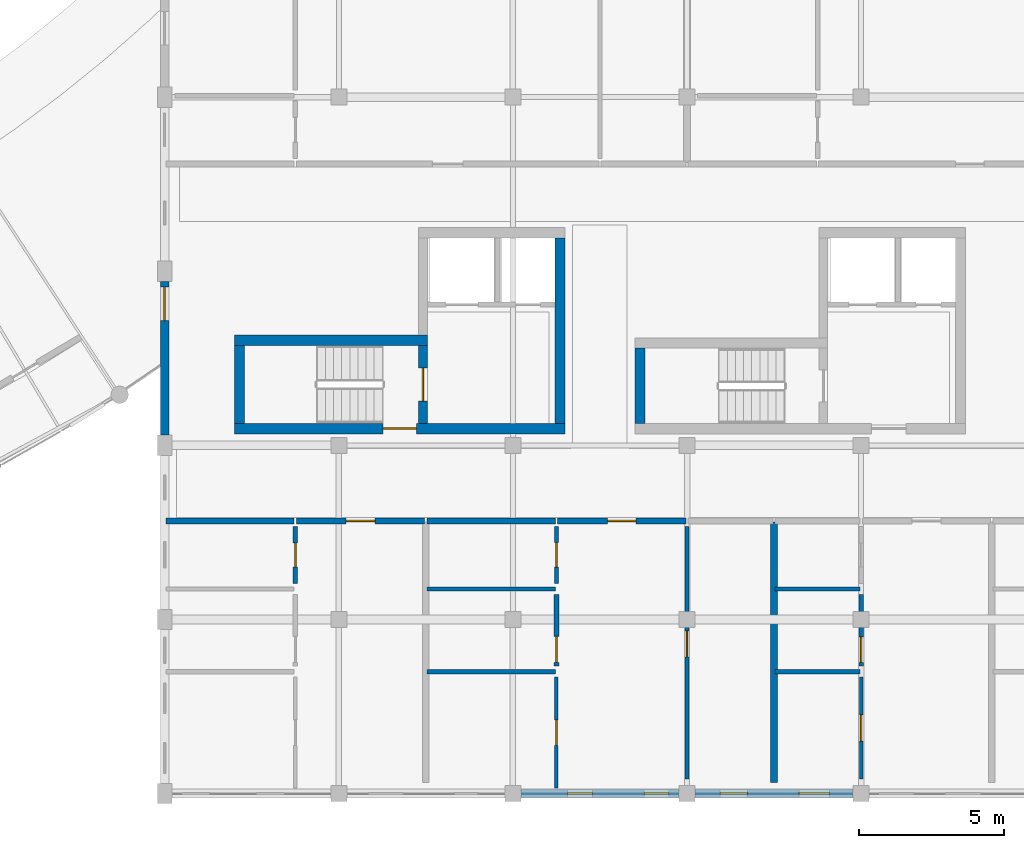
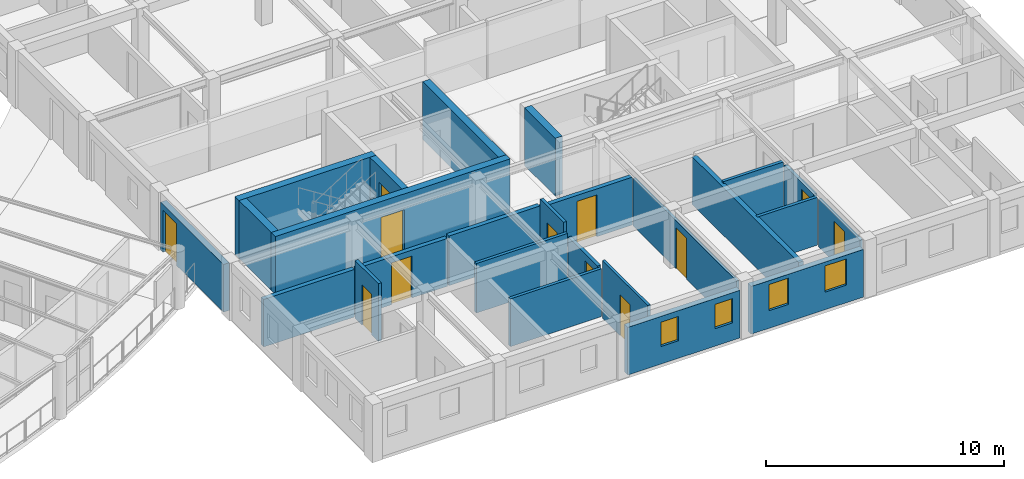
# One storey, part 64 of 101: 25 walls, 12 doors, 4 windows, 16 openings.
"""IFC4 building model written with IfcOpenShell, lengths in metres."""

from ifc_helpers import new_model, si_unit, direction, frame, frame_2d, origin, place, context, subcontext, project, spatial, rectangle, extrude, material, layer, layer_set, type_object, element, fill, save


model = new_model("IFC4")

# Units and contexts
model_context = context("Model", 3, precision=1e-05, world=origin(), true_north=direction((0.0, 1.0)))
body_context = subcontext(model_context, "Body", "Model", "MODEL_VIEW")
ifc_project = project(units=[si_unit("LENGTHUNIT", "METRE"), si_unit("AREAUNIT", "SQUARE_METRE"), si_unit("VOLUMEUNIT", "CUBIC_METRE"), si_unit("PLANEANGLEUNIT", "RADIAN"), si_unit("MASSUNIT", "GRAM", prefix="KILO"), si_unit("POWERUNIT", "WATT"), si_unit("THERMODYNAMICTEMPERATUREUNIT", "KELVIN")], contexts=[model_context])

# Site, building, storey
site_placement = place(None, origin())
site = spatial("IfcSite", under=ifc_project, at=site_placement, CompositionType="ELEMENT")
building_placement = place(site_placement, origin())
building = spatial("IfcBuilding", under=site, at=building_placement, Name="Ruvembo Vaulted Housing Court", CompositionType="ELEMENT")
storey_placement = place(building_placement, frame((0.0, 0.0, 17.300048828125)))
storey = spatial("IfcBuildingStorey", under=building, at=storey_placement, Name="L05", CompositionType="ELEMENT", Elevation=17.300048828125)

# Wall, opening, door
ifc_material_1 = material(Name="Concrete C35/45", Category="concrete")
ifc_layer_1 = layer(ifc_material_1, 0.300048828125, Name="Concrete C35/45")
ifc_layer_set_1 = layer_set([ifc_layer_1], Name="Concrete C35/45")
wall_type_1 = type_object("IfcWallType", Name="WL-CORE-300", PredefinedType="SHEAR", material=ifc_layer_set_1)
wall_1_placement = place(storey_placement, frame((110.89990234375, 12.75, 0.0), z_axis=(0.0, 0.0, 1.0), x_axis=(0.0, 1.0, 0.0)))
wall_1 = element("IfcWall", 1, at=wall_1_placement, inside=storey, type_object=wall_type_1, Name="Core C1 L05 Stair-Lobby Shear Wall", PredefinedType="SHEAR", context=body_context, shape_type="SweptSolid", body=[
    extrude(rectangle(XDim=2.699951171875, YDim=0.300048828125, at=frame_2d((1.35009765625, 0.0))), origin(), (0.0, 0.0, 1.0), 2.96484375),
])
opening_1_placement = place(wall_1_placement, frame((0.77490234375, 0.0, 0.0)))
opening_1 = element("IfcOpeningElement", 2, at=opening_1_placement, cuts=wall_1, Name="Opening SD1", PredefinedType="OPENING", context=body_context, shape_type="SweptSolid", body=[
    extrude(rectangle(XDim=1.14990234375, YDim=2.14990234375, at=frame_2d((0.574951171875, 1.074951171875))), frame((0.0, 0.159912109375, 0.0), z_axis=(0.0, -1.0, 0.0), x_axis=(1.0, 0.0, 0.0)), (0.0, 0.0, 1.0), 0.320068359375),
])
ifc_material_2 = material(Name="Galvanised Painted Steel", Category="steel")
door_type_1 = type_object("IfcDoorType", Name="DR-STAIR-1150x2150", OperationType="NOTDEFINED", PredefinedType="DOOR", material=ifc_material_2)
door_1_placement = place(opening_1_placement, origin())
door_1 = element("IfcDoor", 3, at=door_1_placement, inside=storey, type_object=door_type_1, Name="Stair ST-C1 L05 Fire Door", OperationType="SINGLE_SWING_RIGHT", OverallHeight=2.14990234375, OverallWidth=1.14990234375, PredefinedType="DOOR", context=body_context, shape_type="SweptSolid", body=[
    extrude(rectangle(XDim=1.14990234375, YDim=2.14990234375, at=frame_2d((0.574951171875, 1.074951171875))), frame((0.0, 0.02490234375, 0.0), z_axis=(0.0, -1.0, 0.0), x_axis=(1.0, 0.0, 0.0)), (0.0, 0.0, 1.0), 0.050048828125),
])
fill(opening_1, door_1)

ifc_layer_2 = layer(ifc_material_1, 0.35009765625, Name="Concrete C35/45")
ifc_layer_set_2 = layer_set([ifc_layer_2], Name="Concrete C35/45")
wall_type_2 = type_object("IfcWallType", Name="WL-CORE-350", PredefinedType="SHEAR", material=ifc_layer_set_2)
wall_2_placement = place(storey_placement, frame((104.39990234375, 12.574951171875, 0.0), z_axis=(0.0, 0.0, 1.0), x_axis=(1.0, 0.0, 0.0)))
wall_2 = element("IfcWall", 4, at=wall_2_placement, inside=storey, type_object=wall_type_2, Name="Core C1 L05 South Shear Wall", PredefinedType="SHEAR", context=body_context, shape_type="SweptSolid", body=[
    extrude(rectangle(XDim=11.400146484375, YDim=0.35009765625, at=frame_2d((5.7001953125, 0.0))), origin(), (0.0, 0.0, 1.0), 2.96484375),
])
opening_2_placement = place(wall_2_placement, frame((5.125, 0.0, 0.0)))
opening_2 = element("IfcOpeningElement", 5, at=opening_2_placement, cuts=wall_2, Name="Opening LD0", PredefinedType="OPENING", context=body_context, shape_type="SweptSolid", body=[
    extrude(rectangle(XDim=1.14990234375, YDim=2.14990234375, at=frame_2d((0.574951171875, 1.074951171875))), frame((0.0, 0.18505859375, 0.0), z_axis=(0.0, -1.0, 0.0), x_axis=(1.0, 0.0, 0.0)), (0.0, 0.0, 1.0), 0.3701171875),
])
door_type_2 = type_object("IfcDoorType", Name="DR-LOB-1150x2150", OperationType="NOTDEFINED", PredefinedType="DOOR", material=ifc_material_2)
door_2_placement = place(opening_2_placement, origin())
door_2 = element("IfcDoor", 6, at=door_2_placement, inside=storey, type_object=door_type_2, Name="Core C1 L05 Lobby Fire Door", OperationType="SINGLE_SWING_LEFT", OverallHeight=2.14990234375, OverallWidth=1.14990234375, PredefinedType="DOOR", context=body_context, shape_type="SweptSolid", body=[
    extrude(rectangle(XDim=1.14990234375, YDim=2.14990234375, at=frame_2d((0.574951171875, 1.074951171875))), frame((0.0, 0.02490234375, 0.0), z_axis=(0.0, -1.0, 0.0), x_axis=(1.0, 0.0, 0.0)), (0.0, 0.0, 1.0), 0.050048828125),
])
fill(opening_2, door_2)

# Walls
wall_3_placement = place(storey_placement, frame((111.050048828125, 15.625, 0.0), z_axis=(0.0, 0.0, 1.0), x_axis=(-1.0, 0.0, 0.0)))
element("IfcWall", 7, at=wall_3_placement, inside=storey, type_object=wall_type_2, Name="Core C1 L05 Stair North Shear Wall", PredefinedType="SHEAR", context=body_context, shape_type="SweptSolid", body=[
    extrude(rectangle(XDim=6.650146484375, YDim=0.35009765625, at=frame_2d((3.3251953125, 0.0))), origin(), (0.0, 0.0, 1.0), 2.96484375),
])
wall_4_placement = place(storey_placement, frame((104.574951171875, 15.449951171875, 0.0), z_axis=(0.0, 0.0, 1.0), x_axis=(0.0, -1.0, 0.0)))
element("IfcWall", 8, at=wall_4_placement, inside=storey, type_object=wall_type_2, Name="Core C1 L05 Stair West Shear Wall", PredefinedType="SHEAR", context=body_context, shape_type="SweptSolid", body=[
    extrude(rectangle(XDim=2.699951171875, YDim=0.35009765625, at=frame_2d((1.35009765625, 0.0))), origin(), (0.0, 0.0, 1.0), 2.96484375),
])
wall_5_placement = place(storey_placement, frame((115.625, 12.75, 0.0), z_axis=(0.0, 0.0, 1.0), x_axis=(0.0, 1.0, 0.0)))
element("IfcWall", 9, at=wall_5_placement, inside=storey, type_object=wall_type_2, Name="Core C1 L05 East Shear Wall", PredefinedType="SHEAR", context=body_context, shape_type="SweptSolid", body=[
    extrude(rectangle(XDim=6.39990234375, YDim=0.35009765625, at=frame_2d((3.199951171875, 0.0))), origin(), (0.0, 0.0, 1.0), 2.96484375),
])
wall_6_placement = place(storey_placement, frame((118.375, 15.35009765625, 0.0), z_axis=(0.0, 0.0, 1.0), x_axis=(0.0, -1.0, 0.0)))
element("IfcWall", 10, at=wall_6_placement, inside=storey, type_object=wall_type_2, Name="Core C2 L05 Stair West Shear Wall", PredefinedType="SHEAR", context=body_context, shape_type="SweptSolid", body=[
    extrude(rectangle(XDim=2.60009765625, YDim=0.35009765625, at=frame_2d((1.300048828125, 0.0))), origin(), (0.0, 0.0, 1.0), 2.96484375),
])
ifc_material_3 = material(Name="Concrete Blockwork 210", Category="masonry")
ifc_layer_3 = layer(ifc_material_3, 0.2099609375, Name="Concrete Blockwork 210")
ifc_layer_set_3 = layer_set([ifc_layer_3], Name="Concrete Blockwork 210")
wall_type_3 = type_object("IfcWallType", Name="WL-CORR-210", PredefinedType="SOLIDWALL", material=ifc_layer_set_3)
wall_7_placement = place(storey_placement, frame((102.0400390625, 9.39990234375, 0.0), z_axis=(0.0, 0.0, 1.0), x_axis=(1.0, 0.0, 0.0)))
element("IfcWall", 11, at=wall_7_placement, inside=storey, type_object=wall_type_3, Name="L05 Flat C-L05-S1 Corridor Wall WL-INT-L05-01485", PredefinedType="SOLIDWALL", context=body_context, shape_type="SweptSolid", body=[
    extrude(rectangle(XDim=4.419921875, YDim=0.2099609375, at=frame_2d((2.2099609375, 0.0))), origin(), (0.0, 0.0, 1.0), 2.447021484375),
])

# Wall, opening, door
wall_8_placement = place(storey_placement, frame((106.5400390625, 9.39990234375, 0.0), z_axis=(0.0, 0.0, 1.0), x_axis=(1.0, 0.0, 0.0)))
wall_8 = element("IfcWall", 12, at=wall_8_placement, inside=storey, type_object=wall_type_3, Name="L05 Flat C-L05-S1 Entrance WL-INT-L05-01486", PredefinedType="SOLIDWALL", context=body_context, shape_type="SweptSolid", body=[
    extrude(rectangle(XDim=4.419921875, YDim=0.2099609375, at=frame_2d((2.2099609375, 0.0))), origin(), (0.0, 0.0, 1.0), 2.4580078125),
])
opening_3_placement = place(wall_8_placement, frame((1.7099609375, 0.0, 0.0)))
opening_3 = element("IfcOpeningElement", 13, at=opening_3_placement, cuts=wall_8, Name="Opening FD1", PredefinedType="OPENING", context=body_context, shape_type="SweptSolid", body=[
    extrude(rectangle(XDim=1.0, YDim=2.14990234375, at=frame_2d((0.5, 1.074951171875))), frame((0.0, 0.114990234375, 0.0), z_axis=(0.0, -1.0, 0.0), x_axis=(1.0, 0.0, 0.0)), (0.0, 0.0, 1.0), 0.22998046875),
])
ifc_material_4 = material(Name="FSC Hardwood and Engineered Timber", Category="wood")
door_type_3 = type_object("IfcDoorType", Name="DR-FLAT-1000x2150", OperationType="NOTDEFINED", PredefinedType="DOOR", material=ifc_material_4)
door_3_placement = place(opening_3_placement, origin())
door_3 = element("IfcDoor", 14, at=door_3_placement, inside=storey, type_object=door_type_3, Name="L05 Flat C-L05-S1 Entrance Door DR-INT-L05-00834", OperationType="SINGLE_SWING_RIGHT", OverallHeight=2.14990234375, OverallWidth=1.0, PredefinedType="DOOR", context=body_context, shape_type="SweptSolid", body=[
    extrude(rectangle(XDim=1.0, YDim=2.14990234375, at=frame_2d((0.5, 1.074951171875))), frame((0.0, 0.02490234375, 0.0), z_axis=(0.0, -1.0, 0.0), x_axis=(1.0, 0.0, 0.0)), (0.0, 0.0, 1.0), 0.050048828125),
])
fill(opening_3, door_3)

# Wall
wall_9_placement = place(storey_placement, frame((111.0400390625, 9.39990234375, 0.0), z_axis=(0.0, 0.0, 1.0), x_axis=(1.0, 0.0, 0.0)))
element("IfcWall", 15, at=wall_9_placement, inside=storey, type_object=wall_type_3, Name="L05 Flat C-L05-S2 Corridor Wall WL-INT-L05-01493", PredefinedType="SOLIDWALL", context=body_context, shape_type="SweptSolid", body=[
    extrude(rectangle(XDim=4.419921875, YDim=0.2099609375, at=frame_2d((2.2099609375, 0.0))), origin(), (0.0, 0.0, 1.0), 2.5478515625),
])

# Wall, opening, door
wall_10_placement = place(storey_placement, frame((115.5400390625, 9.39990234375, 0.0), z_axis=(0.0, 0.0, 1.0), x_axis=(1.0, 0.0, 0.0)))
wall_10 = element("IfcWall", 16, at=wall_10_placement, inside=storey, type_object=wall_type_3, Name="L05 Flat C-L05-S2 Entrance WL-INT-L05-01494", PredefinedType="SOLIDWALL", context=body_context, shape_type="SweptSolid", body=[
    extrude(rectangle(XDim=4.419921875, YDim=0.2099609375, at=frame_2d((2.2099609375, 0.0))), origin(), (0.0, 0.0, 1.0), 2.4580078125),
])
opening_4_placement = place(wall_10_placement, frame((1.719970703125, 0.0, 0.0)))
opening_4 = element("IfcOpeningElement", 17, at=opening_4_placement, cuts=wall_10, Name="Opening FD2", PredefinedType="OPENING", context=body_context, shape_type="SweptSolid", body=[
    extrude(rectangle(XDim=0.97998046875, YDim=2.14990234375, at=frame_2d((0.489990234375, 1.074951171875))), frame((0.0, 0.114990234375, 0.0), z_axis=(0.0, -1.0, 0.0), x_axis=(1.0, 0.0, 0.0)), (0.0, 0.0, 1.0), 0.22998046875),
])
door_type_4 = type_object("IfcDoorType", Name="DR-FLAT-0980x2150", OperationType="NOTDEFINED", PredefinedType="DOOR", material=ifc_material_4)
door_4_placement = place(opening_4_placement, origin())
door_4 = element("IfcDoor", 18, at=door_4_placement, inside=storey, type_object=door_type_4, Name="L05 Flat C-L05-S2 Entrance Door DR-INT-L05-00838", OperationType="SINGLE_SWING_RIGHT", OverallHeight=2.14990234375, OverallWidth=0.97998046875, PredefinedType="DOOR", context=body_context, shape_type="SweptSolid", body=[
    extrude(rectangle(XDim=0.97998046875, YDim=2.14990234375, at=frame_2d((0.489990234375, 1.074951171875))), frame((0.0, 0.02490234375, 0.0), z_axis=(0.0, -1.0, 0.0), x_axis=(1.0, 0.0, 0.0)), (0.0, 0.0, 1.0), 0.050048828125),
])
fill(opening_4, door_4)

# Wall
ifc_material_5 = material(Name="Acoustic Masonry Demising 230", Category="masonry")
ifc_layer_4 = layer(ifc_material_5, 0.22998046875, Name="Acoustic Masonry Demising 230")
ifc_layer_set_4 = layer_set([ifc_layer_4], Name="Acoustic Masonry Demising 230")
wall_type_4 = type_object("IfcWallType", Name="WL-DEM-230", PredefinedType="SOLIDWALL", material=ifc_layer_set_4)
wall_11_placement = place(storey_placement, frame((123.0, 0.389892578125, 0.0), z_axis=(0.0, 0.0, 1.0), x_axis=(0.0, 1.0, 0.0)))
element("IfcWall", 19, at=wall_11_placement, inside=storey, type_object=wall_type_4, Name="L05 Demising C-L05-S2 WL-INT-L05-01492", PredefinedType="SOLIDWALL", context=body_context, shape_type="SweptSolid", body=[
    extrude(rectangle(XDim=8.97021484375, YDim=0.22998046875, at=frame_2d((4.485107421875, 0.0))), origin(), (0.0, 0.0, 1.0), 2.447021484375),
])

# Wall, openings, windows
ifc_material_6 = material(Name="Rendered Masonry 285", Category="masonry")
ifc_layer_5 = layer(ifc_material_6, 0.284912109375, Name="Rendered Masonry 285")
ifc_layer_set_5 = layer_set([ifc_layer_5], Name="Rendered Masonry 285")
wall_type_5 = type_object("IfcWallType", Name="WL-EXT-285", PredefinedType="STANDARD", material=ifc_layer_set_5)
wall_12_placement = place(storey_placement, frame((114.27490234375, 0.0, 0.0), z_axis=(0.0, 0.0, 1.0), x_axis=(1.0, 0.0, 0.0)))
wall_12 = element("IfcWall", 20, at=wall_12_placement, inside=storey, type_object=wall_type_5, Name="Block C L05 Exterior Wall STREET #3", PredefinedType="STANDARD", context=body_context, shape_type="SweptSolid", body=[
    extrude(rectangle(XDim=5.4501953125, YDim=0.284912109375, at=frame_2d((2.72509765625, 0.0))), origin(), (0.0, 0.0, 1.0), 2.447021484375),
])
opening_5_placement = place(wall_12_placement, frame((1.614990234375, 0.0, 0.89990234375)))
opening_5 = element("IfcOpeningElement", 21, at=opening_5_placement, cuts=wall_12, Name="Opening W03", PredefinedType="OPENING", context=body_context, shape_type="SweptSolid", body=[
    extrude(rectangle(XDim=0.85009765625, YDim=1.25, at=frame_2d((0.425048828125, 0.625))), frame((0.0, 0.15234375, 0.0), z_axis=(0.0, -1.0, 0.0), x_axis=(1.0, 0.0, 0.0)), (0.0, 0.0, 1.0), 0.304931640625),
])
opening_6_placement = place(wall_12_placement, frame((4.25, 0.0, 0.89990234375)))
opening_6 = element("IfcOpeningElement", 22, at=opening_6_placement, cuts=wall_12, Name="Opening W03", PredefinedType="OPENING", context=body_context, shape_type="SweptSolid", body=[
    extrude(rectangle(XDim=0.85009765625, YDim=1.25, at=frame_2d((0.425048828125, 0.625))), frame((0.0, 0.15234375, 0.0), z_axis=(0.0, -1.0, 0.0), x_axis=(1.0, 0.0, 0.0)), (0.0, 0.0, 1.0), 0.304931640625),
])
ifc_material_7 = material(Name="Double Solar-Control Glazing in Aluminium Frame", Category="aluminium")
window_type_1 = type_object("IfcWindowType", Name="WIN-0850x1250", PartitioningType="SINGLE_PANEL", PredefinedType="WINDOW", material=ifc_material_7)
window_1_placement = place(opening_5_placement, origin())
window_1 = element("IfcWindow", 23, at=window_1_placement, inside=storey, type_object=window_type_1, Name="Block C L05 Window #1285", OverallHeight=1.25, OverallWidth=0.85009765625, PartitioningType="SINGLE_PANEL", PredefinedType="WINDOW", context=body_context, shape_type="SweptSolid", body=[
    extrude(rectangle(XDim=0.85009765625, YDim=1.25, at=frame_2d((0.425048828125, 0.625))), frame((0.0, 0.030029296875, 0.0), z_axis=(0.0, -1.0, 0.0), x_axis=(1.0, 0.0, 0.0)), (0.0, 0.0, 1.0), 0.06005859375),
])
fill(opening_5, window_1)
window_2_placement = place(opening_6_placement, origin())
window_2 = element("IfcWindow", 24, at=window_2_placement, inside=storey, type_object=window_type_1, Name="Block C L05 Window #1286", OverallHeight=1.25, OverallWidth=0.85009765625, PartitioningType="SINGLE_PANEL", PredefinedType="WINDOW", context=body_context, shape_type="SweptSolid", body=[
    extrude(rectangle(XDim=0.85009765625, YDim=1.25, at=frame_2d((0.425048828125, 0.625))), frame((0.0, 0.030029296875, 0.0), z_axis=(0.0, -1.0, 0.0), x_axis=(1.0, 0.0, 0.0)), (0.0, 0.0, 1.0), 0.06005859375),
])
fill(opening_6, window_2)

wall_13_placement = place(storey_placement, frame((120.27490234375, 0.0, 0.0), z_axis=(0.0, 0.0, 1.0), x_axis=(1.0, 0.0, 0.0)))
wall_13 = element("IfcWall", 25, at=wall_13_placement, inside=storey, type_object=wall_type_5, Name="Block C L05 Exterior Wall STREET #4", PredefinedType="STANDARD", context=body_context, shape_type="SweptSolid", body=[
    extrude(rectangle(XDim=5.4501953125, YDim=0.284912109375, at=frame_2d((2.72509765625, 0.0))), origin(), (0.0, 0.0, 1.0), 2.447021484375),
])
opening_7_placement = place(wall_13_placement, frame((0.867431640625, 0.0, 0.89990234375)))
opening_7 = element("IfcOpeningElement", 26, at=opening_7_placement, cuts=wall_13, Name="Opening W07", PredefinedType="OPENING", context=body_context, shape_type="SweptSolid", body=[
    extrude(rectangle(XDim=0.949951171875, YDim=1.35009765625, at=frame_2d((0.47509765625, 0.675048828125))), frame((0.0, 0.15234375, 0.0), z_axis=(0.0, -1.0, 0.0), x_axis=(1.0, 0.0, 0.0)), (0.0, 0.0, 1.0), 0.304931640625),
])
opening_8_placement = place(wall_13_placement, frame((3.58251953125, 0.0, 0.89990234375)))
opening_8 = element("IfcOpeningElement", 27, at=opening_8_placement, cuts=wall_13, Name="Opening W09", PredefinedType="OPENING", context=body_context, shape_type="SweptSolid", body=[
    extrude(rectangle(XDim=1.050048828125, YDim=1.35009765625, at=frame_2d((0.52490234375, 0.675048828125))), frame((0.0, 0.15234375, 0.0), z_axis=(0.0, -1.0, 0.0), x_axis=(1.0, 0.0, 0.0)), (0.0, 0.0, 1.0), 0.304931640625),
])
window_type_2 = type_object("IfcWindowType", Name="WIN-0950x1350", PartitioningType="SINGLE_PANEL", PredefinedType="WINDOW", material=ifc_material_7)
window_3_placement = place(opening_7_placement, origin())
window_3 = element("IfcWindow", 28, at=window_3_placement, inside=storey, type_object=window_type_2, Name="Block C L05 Window #1287", OverallHeight=1.35009765625, OverallWidth=0.949951171875, PartitioningType="SINGLE_PANEL", PredefinedType="WINDOW", context=body_context, shape_type="SweptSolid", body=[
    extrude(rectangle(XDim=0.949951171875, YDim=1.35009765625, at=frame_2d((0.47509765625, 0.675048828125))), frame((0.0, 0.030029296875, 0.0), z_axis=(0.0, -1.0, 0.0), x_axis=(1.0, 0.0, 0.0)), (0.0, 0.0, 1.0), 0.06005859375),
])
fill(opening_7, window_3)
window_type_3 = type_object("IfcWindowType", Name="WIN-1050x1350", PartitioningType="SINGLE_PANEL", PredefinedType="WINDOW", material=ifc_material_7)
window_4_placement = place(opening_8_placement, origin())
window_4 = element("IfcWindow", 29, at=window_4_placement, inside=storey, type_object=window_type_3, Name="Block C L05 Window #1288", OverallHeight=1.35009765625, OverallWidth=1.050048828125, PartitioningType="SINGLE_PANEL", PredefinedType="WINDOW", context=body_context, shape_type="SweptSolid", body=[
    extrude(rectangle(XDim=1.050048828125, YDim=1.35009765625, at=frame_2d((0.52490234375, 0.675048828125))), frame((0.0, 0.030029296875, 0.0), z_axis=(0.0, -1.0, 0.0), x_axis=(1.0, 0.0, 0.0)), (0.0, 0.0, 1.0), 0.06005859375),
])
fill(opening_8, window_4)

# Wall, opening, door
wall_14_placement = place(storey_placement, frame((102.0, 17.64990234375, 0.0), z_axis=(0.0, 0.0, 1.0), x_axis=(0.0, -1.0, 0.0)))
wall_14 = element("IfcWall", 30, at=wall_14_placement, inside=storey, type_object=wall_type_5, Name="Block C L05 Exterior Wall WEST #4", PredefinedType="STANDARD", context=body_context, shape_type="SweptSolid", body=[
    extrude(rectangle(XDim=5.2998046875, YDim=0.284912109375, at=frame_2d((2.64990234375, 0.0))), origin(), (0.0, 0.0, 1.0), 2.447021484375),
])
opening_9_placement = place(wall_14_placement, frame((0.199951171875, 0.0, 0.0)))
opening_9 = element("IfcOpeningElement", 31, at=opening_9_placement, cuts=wall_14, Name="Opening GD1", PredefinedType="OPENING", context=body_context, shape_type="SweptSolid", body=[
    extrude(rectangle(XDim=1.14990234375, YDim=2.14990234375, at=frame_2d((0.574951171875, 1.074951171875))), frame((0.0, 0.15234375, 0.0), z_axis=(0.0, -1.0, 0.0), x_axis=(1.0, 0.0, 0.0)), (0.0, 0.0, 1.0), 0.304931640625),
])
ifc_material_8 = material(Name="Thermally Broken Glazed Aluminium", Category="aluminium")
door_type_5 = type_object("IfcDoorType", Name="DR-GAL-1150x2150", OperationType="NOTDEFINED", PredefinedType="DOOR", material=ifc_material_8)
door_5_placement = place(opening_9_placement, frame((1.14990234375, 0.0, 0.0), z_axis=(0.0, 0.0, 1.0), x_axis=(-1.0, 0.0, 0.0)))
door_5 = element("IfcDoor", 32, at=door_5_placement, inside=storey, type_object=door_type_5, Name="Block C L05 Terrace or Gallery Door DR-TER-C-L05-064", OperationType="SINGLE_SWING_LEFT", OverallHeight=2.14990234375, OverallWidth=1.14990234375, PredefinedType="DOOR", context=body_context, shape_type="SweptSolid", body=[
    extrude(rectangle(XDim=1.14990234375, YDim=2.14990234375, at=frame_2d((0.574951171875, 1.074951171875))), frame((0.0, 0.02490234375, 0.0), z_axis=(0.0, -1.0, 0.0), x_axis=(1.0, 0.0, 0.0)), (0.0, 0.0, 1.0), 0.050048828125),
])
fill(opening_9, door_5)

ifc_material_9 = material(Name="Plasterboard Stud Partition 125", Category="gypsum")
ifc_layer_6 = layer(ifc_material_9, 0.125, Name="Plasterboard Stud Partition 125")
ifc_layer_set_6 = layer_set([ifc_layer_6], Name="Plasterboard Stud Partition 125")
wall_type_6 = type_object("IfcWallType", Name="WL-PART-125", PredefinedType="PARTITIONING", material=ifc_layer_set_6)
wall_15_placement = place(storey_placement, frame((115.5, 0.18994140625, 0.0), z_axis=(0.0, 0.0, 1.0), x_axis=(0.0, 1.0, 0.0)))
wall_15 = element("IfcWall", 33, at=wall_15_placement, inside=storey, type_object=wall_type_6, Name="L05 Flat C-L05-S2 Bedroom 1 WL-INT-L05-01495", PredefinedType="PARTITIONING", context=body_context, shape_type="SweptSolid", body=[
    extrude(rectangle(XDim=3.820068359375, YDim=0.125, at=frame_2d((1.91015625, 0.0))), origin(), (0.0, 0.0, 1.0), 2.96484375),
])
opening_10_placement = place(wall_15_placement, frame((1.469970703125, 0.0, 0.0)))
opening_10 = element("IfcOpeningElement", 34, at=opening_10_placement, cuts=wall_15, Name="Opening ID3", PredefinedType="OPENING", context=body_context, shape_type="SweptSolid", body=[
    extrude(rectangle(XDim=0.8798828125, YDim=2.10009765625, at=frame_2d((0.43994140625, 1.050048828125))), frame((0.0, 0.072509765625, 0.0), z_axis=(0.0, -1.0, 0.0), x_axis=(1.0, 0.0, 0.0)), (0.0, 0.0, 1.0), 0.14501953125),
])
door_type_6 = type_object("IfcDoorType", Name="DR-ROOM-0880x2100", OperationType="NOTDEFINED", PredefinedType="DOOR", material=ifc_material_4)
door_6_placement = place(opening_10_placement, origin())
door_6 = element("IfcDoor", 35, at=door_6_placement, inside=storey, type_object=door_type_6, Name="L05 Flat C-L05-S2 Bedroom 1 Door DR-INT-L05-00839", OperationType="SINGLE_SWING_LEFT", OverallHeight=2.10009765625, OverallWidth=0.8798828125, PredefinedType="DOOR", context=body_context, shape_type="SweptSolid", body=[
    extrude(rectangle(XDim=0.8798828125, YDim=2.10009765625, at=frame_2d((0.43994140625, 1.050048828125))), frame((0.0, 0.02490234375, 0.0), z_axis=(0.0, -1.0, 0.0), x_axis=(1.0, 0.0, 0.0)), (0.0, 0.0, 1.0), 0.050048828125),
])
fill(opening_10, door_6)

wall_16_placement = place(storey_placement, frame((120.0, 0.510009765625, 0.0), z_axis=(0.0, 0.0, 1.0), x_axis=(0.0, 1.0, 0.0)))
wall_16 = element("IfcWall", 36, at=wall_16_placement, inside=storey, type_object=wall_type_6, Name="L05 Flat C-L05-S2 Bedroom 2 WL-INT-L05-01501", PredefinedType="PARTITIONING", context=body_context, shape_type="SweptSolid", body=[
    extrude(rectangle(XDim=8.699951171875, YDim=0.125, at=frame_2d((4.35009765625, 0.0))), origin(), (0.0, 0.0, 1.0), 2.4580078125),
])
opening_11_placement = place(wall_16_placement, frame((4.199951171875, 0.0, 0.0)))
opening_11 = element("IfcOpeningElement", 37, at=opening_11_placement, cuts=wall_16, Name="Opening ID1", PredefinedType="OPENING", context=body_context, shape_type="SweptSolid", body=[
    extrude(rectangle(XDim=0.89990234375, YDim=2.10009765625, at=frame_2d((0.449951171875, 1.050048828125))), frame((0.0, 0.072509765625, 0.0), z_axis=(0.0, -1.0, 0.0), x_axis=(1.0, 0.0, 0.0)), (0.0, 0.0, 1.0), 0.14501953125),
])
door_type_7 = type_object("IfcDoorType", Name="DR-ROOM-0900x2100", OperationType="NOTDEFINED", PredefinedType="DOOR", material=ifc_material_4)
door_7_placement = place(opening_11_placement, origin())
door_7 = element("IfcDoor", 38, at=door_7_placement, inside=storey, type_object=door_type_7, Name="L05 Flat C-L05-S2 Bedroom 2 Door DR-INT-L05-00842", OperationType="SINGLE_SWING_RIGHT", OverallHeight=2.10009765625, OverallWidth=0.89990234375, PredefinedType="DOOR", context=body_context, shape_type="SweptSolid", body=[
    extrude(rectangle(XDim=0.89990234375, YDim=2.10009765625, at=frame_2d((0.449951171875, 1.050048828125))), frame((0.0, 0.02490234375, 0.0), z_axis=(0.0, -1.0, 0.0), x_axis=(1.0, 0.0, 0.0)), (0.0, 0.0, 1.0), 0.050048828125),
])
fill(opening_11, door_7)

wall_17_placement = place(storey_placement, frame((126.0, 0.510009765625, 0.0), z_axis=(0.0, 0.0, 1.0), x_axis=(0.0, 1.0, 0.0)))
wall_17 = element("IfcWall", 39, at=wall_17_placement, inside=storey, type_object=wall_type_6, Name="L05 Flat C-L05-S3 Bedroom 1 WL-INT-L05-01505", PredefinedType="PARTITIONING", context=body_context, shape_type="SweptSolid", body=[
    extrude(rectangle(XDim=3.5, YDim=0.125, at=frame_2d((1.75, 0.0))), origin(), (0.0, 0.0, 1.0), 2.4580078125),
])
opening_12_placement = place(wall_17_placement, frame((1.300048828125, 0.0, 0.0)))
opening_12 = element("IfcOpeningElement", 40, at=opening_12_placement, cuts=wall_17, Name="Opening ID1", PredefinedType="OPENING", context=body_context, shape_type="SweptSolid", body=[
    extrude(rectangle(XDim=0.89990234375, YDim=2.10009765625, at=frame_2d((0.449951171875, 1.050048828125))), frame((0.0, 0.072509765625, 0.0), z_axis=(0.0, -1.0, 0.0), x_axis=(1.0, 0.0, 0.0)), (0.0, 0.0, 1.0), 0.14501953125),
])
door_8_placement = place(opening_12_placement, origin())
door_8 = element("IfcDoor", 41, at=door_8_placement, inside=storey, type_object=door_type_7, Name="L05 Flat C-L05-S3 Bedroom 1 Door DR-INT-L05-00844", OperationType="SINGLE_SWING_RIGHT", OverallHeight=2.10009765625, OverallWidth=0.89990234375, PredefinedType="DOOR", context=body_context, shape_type="SweptSolid", body=[
    extrude(rectangle(XDim=0.89990234375, YDim=2.10009765625, at=frame_2d((0.449951171875, 1.050048828125))), frame((0.0, 0.02490234375, 0.0), z_axis=(0.0, -1.0, 0.0), x_axis=(1.0, 0.0, 0.0)), (0.0, 0.0, 1.0), 0.050048828125),
])
fill(opening_12, door_8)

ifc_material_10 = material(Name="Moisture-Resistant Wet Partition 150", Category="gypsum")
ifc_layer_7 = layer(ifc_material_10, 0.14990234375, Name="Moisture-Resistant Wet Partition 150")
ifc_layer_set_7 = layer_set([ifc_layer_7], Name="Moisture-Resistant Wet Partition 150")
wall_type_7 = type_object("IfcWallType", Name="WL-PART-150", PredefinedType="PARTITIONING", material=ifc_layer_set_7)
wall_18_placement = place(storey_placement, frame((106.5, 7.239990234375, 0.0), z_axis=(0.0, 0.0, 1.0), x_axis=(0.0, 1.0, 0.0)))
wall_18 = element("IfcWall", 42, at=wall_18_placement, inside=storey, type_object=wall_type_7, Name="L05 Flat C-L05-S1 Bathroom WL-INT-L05-01489", PredefinedType="PARTITIONING", context=body_context, shape_type="SweptSolid", body=[
    extrude(rectangle(XDim=1.969970703125, YDim=0.14990234375, at=frame_2d((0.98486328125, 0.0))), origin(), (0.0, 0.0, 1.0), 2.96484375),
])
opening_13_placement = place(wall_18_placement, frame((0.574951171875, 0.0, 0.0)))
opening_13 = element("IfcOpeningElement", 43, at=opening_13_placement, cuts=wall_18, Name="Opening ID4", PredefinedType="OPENING", context=body_context, shape_type="SweptSolid", body=[
    extrude(rectangle(XDim=0.820068359375, YDim=2.080078125, at=frame_2d((0.41015625, 1.0400390625))), frame((0.0, 0.0849609375, 0.0), z_axis=(0.0, -1.0, 0.0), x_axis=(1.0, 0.0, 0.0)), (0.0, 0.0, 1.0), 0.169921875),
])
door_type_8 = type_object("IfcDoorType", Name="DR-WET-0820x2080", OperationType="NOTDEFINED", PredefinedType="DOOR", material=ifc_material_4)
door_9_placement = place(opening_13_placement, origin())
door_9 = element("IfcDoor", 44, at=door_9_placement, inside=storey, type_object=door_type_8, Name="L05 Flat C-L05-S1 Bathroom Door DR-INT-L05-00837", OperationType="SINGLE_SWING_LEFT", OverallHeight=2.080078125, OverallWidth=0.820068359375, PredefinedType="DOOR", context=body_context, shape_type="SweptSolid", body=[
    extrude(rectangle(XDim=0.820068359375, YDim=2.080078125, at=frame_2d((0.41015625, 1.0400390625))), frame((0.0, 0.02490234375, 0.0), z_axis=(0.0, -1.0, 0.0), x_axis=(1.0, 0.0, 0.0)), (0.0, 0.0, 1.0), 0.050048828125),
])
fill(opening_13, door_9)

wall_19_placement = place(storey_placement, frame((115.5, 7.239990234375, 0.0), z_axis=(0.0, 0.0, 1.0), x_axis=(0.0, 1.0, 0.0)))
wall_19 = element("IfcWall", 45, at=wall_19_placement, inside=storey, type_object=wall_type_7, Name="L05 Flat C-L05-S2 Bathroom WL-INT-L05-01497", PredefinedType="PARTITIONING", context=body_context, shape_type="SweptSolid", body=[
    extrude(rectangle(XDim=1.969970703125, YDim=0.14990234375, at=frame_2d((0.98486328125, 0.0))), origin(), (0.0, 0.0, 1.0), 2.96484375),
])
opening_14_placement = place(wall_19_placement, frame((0.56005859375, 0.0, 0.0)))
opening_14 = element("IfcOpeningElement", 46, at=opening_14_placement, cuts=wall_19, Name="Opening ID2", PredefinedType="OPENING", context=body_context, shape_type="SweptSolid", body=[
    extrude(rectangle(XDim=0.85009765625, YDim=2.10009765625, at=frame_2d((0.425048828125, 1.050048828125))), frame((0.0, 0.0849609375, 0.0), z_axis=(0.0, -1.0, 0.0), x_axis=(1.0, 0.0, 0.0)), (0.0, 0.0, 1.0), 0.169921875),
])
door_type_9 = type_object("IfcDoorType", Name="DR-WET-0850x2100", OperationType="NOTDEFINED", PredefinedType="DOOR", material=ifc_material_4)
door_10_placement = place(opening_14_placement, origin())
door_10 = element("IfcDoor", 47, at=door_10_placement, inside=storey, type_object=door_type_9, Name="L05 Flat C-L05-S2 Bathroom Door DR-INT-L05-00841", OperationType="SINGLE_SWING_LEFT", OverallHeight=2.10009765625, OverallWidth=0.85009765625, PredefinedType="DOOR", context=body_context, shape_type="SweptSolid", body=[
    extrude(rectangle(XDim=0.85009765625, YDim=2.10009765625, at=frame_2d((0.425048828125, 1.050048828125))), frame((0.0, 0.02490234375, 0.0), z_axis=(0.0, -1.0, 0.0), x_axis=(1.0, 0.0, 0.0)), (0.0, 0.0, 1.0), 0.050048828125),
])
fill(opening_14, door_10)

# Walls
wall_20_placement = place(storey_placement, frame((111.0400390625, 4.199951171875, 0.0), z_axis=(0.0, 0.0, 1.0), x_axis=(1.0, 0.0, 0.0)))
element("IfcWall", 48, at=wall_20_placement, inside=storey, type_object=wall_type_7, Name="L05 Flat C-L05-S2 Wet Wall 1 WL-INT-L05-01498", PredefinedType="PARTITIONING", context=body_context, shape_type="SweptSolid", body=[
    extrude(rectangle(XDim=4.419921875, YDim=0.14990234375, at=frame_2d((2.2099609375, 0.0))), origin(), (0.0, 0.0, 1.0), 2.4580078125),
])
wall_21_placement = place(storey_placement, frame((111.0400390625, 7.050048828125, 0.0), z_axis=(0.0, 0.0, 1.0), x_axis=(1.0, 0.0, 0.0)))
element("IfcWall", 49, at=wall_21_placement, inside=storey, type_object=wall_type_7, Name="L05 Flat C-L05-S2 Wet Wall 2 WL-INT-L05-01499", PredefinedType="PARTITIONING", context=body_context, shape_type="SweptSolid", body=[
    extrude(rectangle(XDim=4.419921875, YDim=0.14990234375, at=frame_2d((2.2099609375, 0.0))), origin(), (0.0, 0.0, 1.0), 2.5478515625),
])
wall_22_placement = place(storey_placement, frame((123.0400390625, 4.199951171875, 0.0), z_axis=(0.0, 0.0, 1.0), x_axis=(1.0, 0.0, 0.0)))
element("IfcWall", 50, at=wall_22_placement, inside=storey, type_object=wall_type_7, Name="L05 Flat C-L05-S3 Wet Wall 1 WL-INT-L05-01508", PredefinedType="PARTITIONING", context=body_context, shape_type="SweptSolid", body=[
    extrude(rectangle(XDim=2.919921875, YDim=0.14990234375, at=frame_2d((1.4599609375, 0.0))), origin(), (0.0, 0.0, 1.0), 2.4580078125),
])
wall_23_placement = place(storey_placement, frame((123.0400390625, 7.050048828125, 0.0), z_axis=(0.0, 0.0, 1.0), x_axis=(1.0, 0.0, 0.0)))
element("IfcWall", 51, at=wall_23_placement, inside=storey, type_object=wall_type_7, Name="L05 Flat C-L05-S3 Wet Wall 2 WL-INT-L05-01509", PredefinedType="PARTITIONING", context=body_context, shape_type="SweptSolid", body=[
    extrude(rectangle(XDim=2.919921875, YDim=0.14990234375, at=frame_2d((1.4599609375, 0.0))), origin(), (0.0, 0.0, 1.0), 2.5478515625),
])

# Wall, opening, door
ifc_material_11 = material(Name="Acoustic Service Chase Wall 160", Category="gypsum")
ifc_layer_8 = layer(ifc_material_11, 0.159912109375, Name="Acoustic Service Chase Wall 160")
ifc_layer_set_8 = layer_set([ifc_layer_8], Name="Acoustic Service Chase Wall 160")
wall_type_8 = type_object("IfcWallType", Name="WL-PLUMB-160", PredefinedType="PLUMBINGWALL", material=ifc_layer_set_8)
wall_24_placement = place(storey_placement, frame((115.5, 4.389892578125, 0.0), z_axis=(0.0, 0.0, 1.0), x_axis=(0.0, 1.0, 0.0)))
wall_24 = element("IfcWall", 52, at=wall_24_placement, inside=storey, type_object=wall_type_8, Name="L05 Flat C-L05-S2 Kitchen WL-INT-L05-01496", PredefinedType="PLUMBINGWALL", context=body_context, shape_type="SweptSolid", body=[
    extrude(rectangle(XDim=2.47021484375, YDim=0.159912109375, at=frame_2d((1.235107421875, 0.0))), origin(), (0.0, 0.0, 1.0), 2.447021484375),
])
opening_15_placement = place(wall_24_placement, frame((0.1298828125, 0.0, 0.0)))
opening_15 = element("IfcOpeningElement", 53, at=opening_15_placement, cuts=wall_24, Name="Opening ID1", PredefinedType="OPENING", context=body_context, shape_type="SweptSolid", body=[
    extrude(rectangle(XDim=0.89990234375, YDim=2.10009765625, at=frame_2d((0.449951171875, 1.050048828125))), frame((0.0, 0.08984375, 0.0), z_axis=(0.0, -1.0, 0.0), x_axis=(1.0, 0.0, 0.0)), (0.0, 0.0, 1.0), 0.179931640625),
])
door_11_placement = place(opening_15_placement, origin())
door_11 = element("IfcDoor", 54, at=door_11_placement, inside=storey, type_object=door_type_7, Name="L05 Flat C-L05-S2 Kitchen Door DR-INT-L05-00840", OperationType="SINGLE_SWING_RIGHT", OverallHeight=2.10009765625, OverallWidth=0.89990234375, PredefinedType="DOOR", context=body_context, shape_type="SweptSolid", body=[
    extrude(rectangle(XDim=0.89990234375, YDim=2.10009765625, at=frame_2d((0.449951171875, 1.050048828125))), frame((0.0, 0.02490234375, 0.0), z_axis=(0.0, -1.0, 0.0), x_axis=(1.0, 0.0, 0.0)), (0.0, 0.0, 1.0), 0.050048828125),
])
fill(opening_15, door_11)

wall_25_placement = place(storey_placement, frame((126.0, 4.389892578125, 0.0), z_axis=(0.0, 0.0, 1.0), x_axis=(0.0, 1.0, 0.0)))
wall_25 = element("IfcWall", 55, at=wall_25_placement, inside=storey, type_object=wall_type_8, Name="L05 Flat C-L05-S3 Kitchen WL-INT-L05-01506", PredefinedType="PLUMBINGWALL", context=body_context, shape_type="SweptSolid", body=[
    extrude(rectangle(XDim=2.47021484375, YDim=0.159912109375, at=frame_2d((1.235107421875, 0.0))), origin(), (0.0, 0.0, 1.0), 2.4580078125),
])
opening_16_placement = place(wall_25_placement, frame((0.1298828125, 0.0, 0.0)))
opening_16 = element("IfcOpeningElement", 56, at=opening_16_placement, cuts=wall_25, Name="Opening ID3", PredefinedType="OPENING", context=body_context, shape_type="SweptSolid", body=[
    extrude(rectangle(XDim=0.8798828125, YDim=2.10009765625, at=frame_2d((0.43994140625, 1.050048828125))), frame((0.0, 0.08984375, 0.0), z_axis=(0.0, -1.0, 0.0), x_axis=(1.0, 0.0, 0.0)), (0.0, 0.0, 1.0), 0.179931640625),
])
door_12_placement = place(opening_16_placement, origin())
door_12 = element("IfcDoor", 57, at=door_12_placement, inside=storey, type_object=door_type_6, Name="L05 Flat C-L05-S3 Kitchen Door DR-INT-L05-00845", OperationType="SINGLE_SWING_LEFT", OverallHeight=2.10009765625, OverallWidth=0.8798828125, PredefinedType="DOOR", context=body_context, shape_type="SweptSolid", body=[
    extrude(rectangle(XDim=0.8798828125, YDim=2.10009765625, at=frame_2d((0.43994140625, 1.050048828125))), frame((0.0, 0.02490234375, 0.0), z_axis=(0.0, -1.0, 0.0), x_axis=(1.0, 0.0, 0.0)), (0.0, 0.0, 1.0), 0.050048828125),
])
fill(opening_16, door_12)

save(model, "model.ifc")
